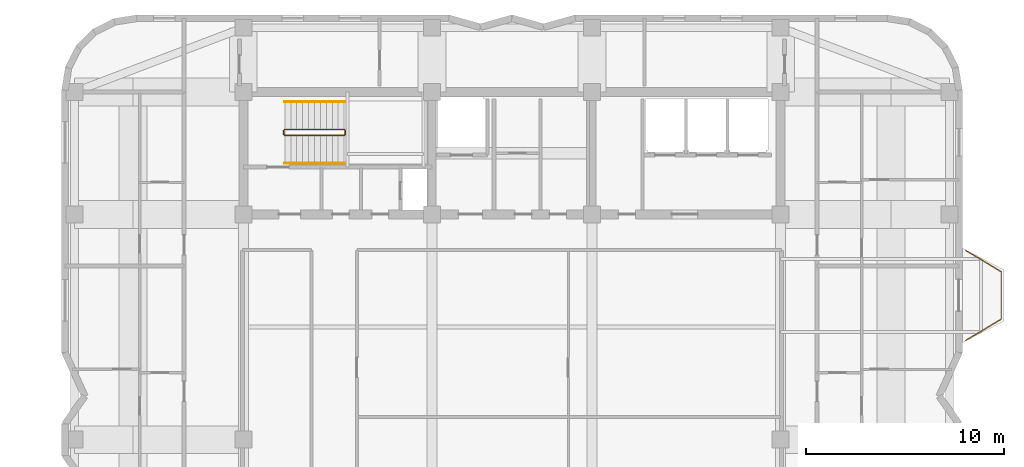
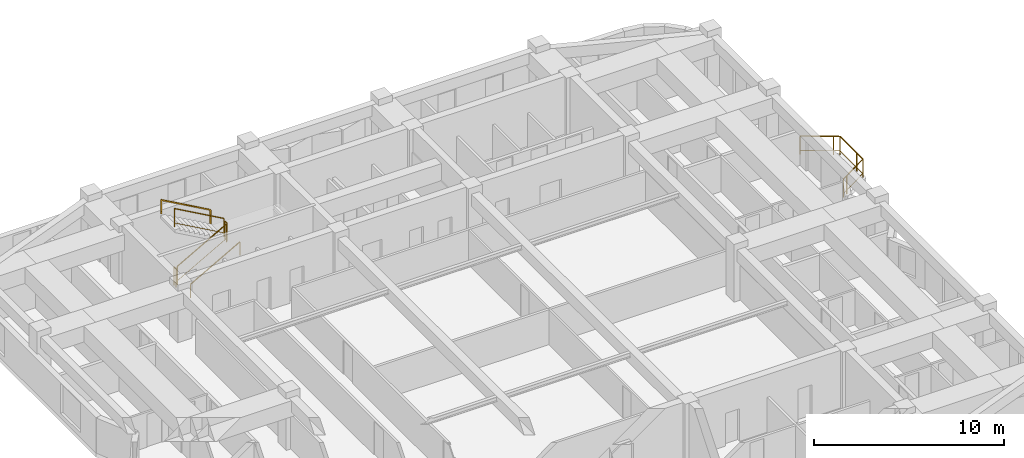
# One storey, part 9 of 9: 7 railings.
"""IFC4 building model written with IfcOpenShell, lengths in metres."""

import ifcopenshell
import ifcopenshell.guid

model = None  # the IFC model being written
_history = None  # IfcOwnerHistory: only IFC2X3 demands one
_inside = {}  # id of a spatial element -> (the spatial element, [elements in it])
_under = {}  # id of a project, library or spatial element -> (it, [spatial elements below it])
_declared = {}  # id of a project -> (the project, [libraries it declares])
_typed = {}  # id of a type object -> (the type object, [elements of that type])
_made_of = {}  # id of a material, layer set ... -> (it, [elements and type objects made of it])


def new_model(schema):
    """Start an empty IFC model of exactly this schema.

    Asked for "IFC4X3", IfcOpenShell would pick the latest addendum, in which some entities
    have other attributes; the version numbers below select the first issue.
    IFC2X3 requires an IfcOwnerHistory on every rooted entity: one is made here for all.
    """
    global model, _history
    if schema == "IFC4X3":
        model = ifcopenshell.file(schema_version=(4, 3, 0, 0))
    else:
        model = ifcopenshell.file(schema=schema)
    _inside.clear()
    _under.clear()
    _declared.clear()
    _typed.clear()
    _made_of.clear()
    _history = None
    if model.schema == "IFC2X3":
        org = make("IfcOrganization", Name="unknown")
        user = make(
            "IfcPersonAndOrganization",
            ThePerson=make("IfcPerson", FamilyName="unknown"),
            TheOrganization=org,
        )
        app = make(
            "IfcApplication",
            ApplicationDeveloper=org,
            Version="unknown",
            ApplicationFullName="unknown",
            ApplicationIdentifier="unknown",
        )
        _history = make(
            "IfcOwnerHistory",
            OwningUser=user,
            OwningApplication=app,
            ChangeAction="ADDED",
            CreationDate=0,
        )
    return model


def make(cls, **values):
    """One entity of the class cls with the attributes given. An attribute that is None is left unset."""
    return model.create_entity(
        cls, **{name: value for name, value in values.items() if value is not None}
    )


def rooted(cls, **values):
    """An entity with a GlobalId (a new one), such as an element, a storey or a relation."""
    return make(cls, GlobalId=ifcopenshell.guid.new(), OwnerHistory=_history, **values)


def si_unit(unit_type, name, prefix=None):
    """IfcSIUnit, for example si_unit("LENGTHUNIT", "METRE", prefix="MILLI")."""
    return make("IfcSIUnit", UnitType=unit_type, Prefix=prefix, Name=name)


def assignment(units):
    """IfcUnitAssignment: the units of a project."""
    return None if units is None else make("IfcUnitAssignment", Units=units)


def point(xyz):
    """IfcCartesianPoint."""
    return None if xyz is None else make("IfcCartesianPoint", Coordinates=xyz)


def direction(xyz):
    """IfcDirection."""
    return None if xyz is None else make("IfcDirection", DirectionRatios=xyz)


def frame(location, z_axis=None, x_axis=None):
    """IfcAxis2Placement3D, a coordinate frame: its origin and axes. An axis left out is left unset."""
    return make(
        "IfcAxis2Placement3D",
        Location=point(location),
        Axis=direction(z_axis),
        RefDirection=direction(x_axis),
    )


def frame_2d(location, x_axis=None):
    """IfcAxis2Placement2D, a coordinate frame in the plane: its origin and x axis."""
    return make(
        "IfcAxis2Placement2D", Location=point(location), RefDirection=direction(x_axis)
    )


def origin():
    """The frame at (0, 0, 0) with its axes left unset."""
    return frame((0.0, 0.0, 0.0))


def origin_2d():
    """The frame at (0, 0) in the plane with its x axis left unset."""
    return frame_2d((0.0, 0.0))


def place(relative_to, where):
    """IfcLocalPlacement: puts the frame where relative to a parent placement (None: the world)."""
    return make(
        "IfcLocalPlacement", PlacementRelTo=relative_to, RelativePlacement=where
    )


def context(
    kind, dimensions, precision=None, world=None, true_north=None, identifier=None
):
    """IfcGeometricRepresentationContext, for example the 3D "Model" context."""
    return make(
        "IfcGeometricRepresentationContext",
        ContextIdentifier=identifier,
        ContextType=kind,
        CoordinateSpaceDimension=dimensions,
        Precision=precision,
        WorldCoordinateSystem=world,
        TrueNorth=true_north,
    )


def subcontext(parent, identifier, kind, view, scale=None):
    """IfcGeometricRepresentationSubContext, for example "Body" below "Model"."""
    return make(
        "IfcGeometricRepresentationSubContext",
        ContextIdentifier=identifier,
        ContextType=kind,
        ParentContext=parent,
        TargetScale=scale,
        TargetView=view,
    )


def project(units=None, contexts=None):
    """IfcProject with its units and contexts."""
    return rooted(
        "IfcProject",
        Name="project",
        RepresentationContexts=contexts,
        UnitsInContext=assignment(units),
    )


def spatial(cls, under=None, at=None, **own):
    """A site, building, storey or space (cls), placed at a placement, below another one or the project."""
    s = rooted(cls, ObjectPlacement=at, **own)
    if under is not None:
        _under.setdefault(under.id(), (under, []))[1].append(s)
    return s


def profile(cls, at=None, kind="AREA", **sizes):
    """A parametric profile (cls). Its sizes go by their IFC names, for example OverallWidth=200.0."""
    return make(cls, ProfileType=kind, Position=at, **sizes)


def rectangle(**sizes):
    """IfcRectangleProfileDef."""
    return profile("IfcRectangleProfileDef", **sizes)


def extrude(swept, where, along, depth):
    """IfcExtrudedAreaSolid: the profile swept, set in the frame where, extruded along a direction by depth."""
    return make(
        "IfcExtrudedAreaSolid",
        SweptArea=swept,
        Position=where,
        ExtrudedDirection=direction(along),
        Depth=depth,
    )


def shape(context_of_items, identifier, shape_type, items):
    """IfcShapeRepresentation: the items that make up one representation, for example the "Body"."""
    return make(
        "IfcShapeRepresentation",
        ContextOfItems=context_of_items,
        RepresentationIdentifier=identifier,
        RepresentationType=shape_type,
        Items=items,
    )


def material(Name=None, Category=None):
    """IfcMaterial."""
    return make("IfcMaterial", Name=Name, Category=Category)


def made_of(thing, what):
    """Note that an element or type object is made of a material, layer set ...; save() writes the relation."""
    if what is not None:
        _made_of.setdefault(what.id(), (what, []))[1].append(thing)
    return thing


def type_object(cls, material=None, **own):
    """A type object (cls), such as IfcWallType, which elements share."""
    return made_of(rooted(cls, **own), material)


def element(
    cls,
    number,
    at=None,
    inside=None,
    cuts=None,
    type_object=None,
    material=None,
    context=None,
    identifier="Body",
    shape_type=None,
    held_by="IfcProductDefinitionShape",
    body=None,
    shapes=None,
    **own,
):
    """One element of the class cls, such as IfcWall. Its Tag is "e" and its number.

    at: its placement. inside: the storey or other place that contains it. cuts: it is an
    opening in that element (IfcRelVoidsElement). A single representation is given by context,
    identifier, shape_type and body (its items); several are given by shapes. held_by: the class
    of the entity that holds the representations. save() writes the other relations.
    """
    e = rooted(cls, Tag="e%d" % number, ObjectPlacement=at, **own)
    if body is not None:
        shapes = [shape(context, identifier, shape_type, body)]
    if shapes is not None:
        e.Representation = make(held_by, Representations=shapes)
    if inside is not None:
        _inside.setdefault(inside.id(), (inside, []))[1].append(e)
    if cuts is not None:
        rooted(
            "IfcRelVoidsElement", RelatingBuildingElement=cuts, RelatedOpeningElement=e
        )
    if type_object is not None:
        _typed.setdefault(type_object.id(), (type_object, []))[1].append(e)
    return made_of(e, material)


def aggregate(whole, parts):
    """IfcRelAggregates: a whole, such as a stair, and the parts it consists of."""
    return rooted("IfcRelAggregates", RelatingObject=whole, RelatedObjects=parts)


def save(model, path):
    """Write the relations noted so far, then the file.

    IfcRelAggregates (storeys below a building ...), IfcRelContainedInSpatialStructure (elements
    in a storey), IfcRelDefinesByType, IfcRelAssociatesMaterial and IfcRelDeclares: one each for
    every whole, place, type object, material and project.
    """
    for whole, parts in _under.values():
        aggregate(whole, parts)
    for where, things in _inside.values():
        rooted(
            "IfcRelContainedInSpatialStructure",
            RelatedElements=things,
            RelatingStructure=where,
        )
    for kind, things in _typed.values():
        rooted("IfcRelDefinesByType", RelatedObjects=things, RelatingType=kind)
    for what, things in _made_of.values():
        rooted("IfcRelAssociatesMaterial", RelatedObjects=things, RelatingMaterial=what)
    for by, libraries in _declared.values():
        rooted("IfcRelDeclares", RelatingContext=by, RelatedDefinitions=libraries)
    model.write(path)


model = new_model("IFC4")

# Units and contexts
model_context = context("Model", 3, precision=1e-05, world=origin(), true_north=direction((0.0, 1.0)))
body_context = subcontext(model_context, "Body", "Model", "MODEL_VIEW")
ifc_project = project(units=[si_unit("LENGTHUNIT", "METRE"), si_unit("AREAUNIT", "SQUARE_METRE"), si_unit("VOLUMEUNIT", "CUBIC_METRE"), si_unit("PLANEANGLEUNIT", "RADIAN"), si_unit("MASSUNIT", "GRAM", prefix="KILO")], contexts=[model_context])

# Site, building, storey
site_placement = place(None, origin())
site = spatial("IfcSite", under=ifc_project, at=site_placement, CompositionType="ELEMENT")
building_placement = place(site_placement, origin())
building = spatial("IfcBuilding", under=site, at=building_placement, Name="Svetorya Sky Lyceum", CompositionType="ELEMENT")
storey_placement = place(building_placement, frame((0.0, 0.0, 222.10009765625)))
storey = spatial("IfcBuildingStorey", under=building, at=storey_placement, Name="L55", CompositionType="ELEMENT", Elevation=222.10009765625)

# Railings
ifc_material_1 = material(Name="Laminated safety glass and stainless AISI 316", Category="glass")
railing_type_1 = type_object("IfcRailingType", Name="RL-BAL-1200", PredefinedType="BALUSTRADE", material=ifc_material_1)
railing_1_placement = place(storey_placement, frame((62.169921875, 37.780029296875, 0.0)))
element("IfcRailing", 1, at=railing_1_placement, inside=storey, type_object=railing_type_1, Name="L55 Balcony Balustrade BAL-E1", PredefinedType="BALUSTRADE", context=body_context, shape_type="SweptSolid", body=[
    extrude(rectangle(XDim=0.048095703125, YDim=0.048095703125, at=origin_2d()), frame((0.0, 0.0, 1.17578125), z_axis=(0.857482663744, -0.514512858321, 0.0), x_axis=(0.514512858321, 0.857482663744, 0.0)), (0.0, 0.0, 1.0), 2.09912109375),
    extrude(rectangle(XDim=0.02392578125, YDim=0.02392578125, at=origin_2d()), frame((0.0, 0.0, 0.25), z_axis=(0.857482663744, -0.514512858321, 0.0), x_axis=(0.514512858321, 0.857482663744, 0.0)), (0.0, 0.0, 1.0), 2.09912109375),
    extrude(rectangle(XDim=0.048095703125, YDim=0.048095703125, at=origin_2d()), frame((1.800048828125, -1.080078125, 1.17578125), z_axis=(0.0, -1.0, 0.0), x_axis=(1.0, 0.0, 0.0)), (0.0, 0.0, 1.0), 2.39990234375),
    extrude(rectangle(XDim=0.02392578125, YDim=0.02392578125, at=origin_2d()), frame((1.800048828125, -1.080078125, 0.25), z_axis=(0.0, -1.0, 0.0), x_axis=(1.0, 0.0, 0.0)), (0.0, 0.0, 1.0), 2.39990234375),
    extrude(rectangle(XDim=0.048095703125, YDim=0.048095703125, at=origin_2d()), frame((1.800048828125, -3.47998046875, 1.17578125), z_axis=(-0.857482663744, -0.514512858321, 0.0), x_axis=(0.514512858321, -0.857482663744, 0.0)), (0.0, 0.0, 1.0), 2.09912109375),
    extrude(rectangle(XDim=0.02392578125, YDim=0.02392578125, at=origin_2d()), frame((1.800048828125, -3.47998046875, 0.25), z_axis=(-0.857482663744, -0.514512858321, 0.0), x_axis=(0.514512858321, -0.857482663744, 0.0)), (0.0, 0.0, 1.0), 2.09912109375),
    extrude(rectangle(XDim=0.0419921875, YDim=0.0419921875, at=origin_2d()), origin(), (0.0, 0.0, 1.0), 1.15185546875),
    extrude(rectangle(XDim=0.0419921875, YDim=0.0419921875, at=origin_2d()), frame((1.50048828125, -0.900390625, 0.0)), (0.0, 0.0, 1.0), 1.15185546875),
    extrude(rectangle(XDim=0.0419921875, YDim=0.0419921875, at=origin_2d()), frame((1.800048828125, -1.080078125, 0.0)), (0.0, 0.0, 1.0), 1.15185546875),
    extrude(rectangle(XDim=0.0419921875, YDim=0.0419921875, at=origin_2d()), frame((1.800048828125, -2.830078125, 0.0)), (0.0, 0.0, 1.0), 1.15185546875),
    extrude(rectangle(XDim=0.0419921875, YDim=0.0419921875, at=origin_2d()), frame((1.800048828125, -3.47998046875, 0.0)), (0.0, 0.0, 1.0), 1.15185546875),
    extrude(rectangle(XDim=0.0419921875, YDim=0.0419921875, at=origin_2d()), frame((0.299560546875, -4.38037109375, 0.0)), (0.0, 0.0, 1.0), 1.15185546875),
    extrude(rectangle(XDim=0.0419921875, YDim=0.0419921875, at=origin_2d()), frame((0.0, -4.56005859375, 0.0)), (0.0, 0.0, 1.0), 1.15185546875),
])
ifc_material_2 = material(Name="Painted galvanized stair well guard")
railing_type_2 = type_object("IfcRailingType", Name="RL-STR-GUARD-1200", PredefinedType="GUARDRAIL", material=ifc_material_2)
railing_2_placement = place(storey_placement, frame((27.699951171875, 43.60009765625, 0.16796875)))
element("IfcRailing", 2, at=railing_2_placement, inside=storey, type_object=railing_type_2, Name="L55 ST-N stair guard 1", PredefinedType="GUARDRAIL", context=body_context, shape_type="SweptSolid", body=[
    extrude(rectangle(XDim=0.048095703125, YDim=0.048095703125, at=origin_2d()), frame((0.0, 0.0, 1.17578125), z_axis=(0.872272294576, 0.0, 0.489020494575), x_axis=(0.0, 1.0, 0.0)), (0.0, 0.0, 1.0), 3.439208984375),
    extrude(rectangle(XDim=0.02392578125, YDim=0.02392578125, at=origin_2d()), frame((0.0, 0.0, 0.25), z_axis=(0.872272294576, 0.0, 0.489020494575), x_axis=(0.0, 1.0, 0.0)), (0.0, 0.0, 1.0), 3.439208984375),
    extrude(rectangle(XDim=0.0419921875, YDim=0.0419921875, at=origin_2d()), origin(), (0.0, 0.0, 1.0), 1.15185546875),
    extrude(rectangle(XDim=0.0419921875, YDim=0.0419921875, at=origin_2d()), frame((3.0, 0.0, 1.681884765625)), (0.0, 0.0, 1.0), 1.15185546875),
])
railing_3_placement = place(storey_placement, frame((30.75, 43.64990234375, 1.849853515625)))
element("IfcRailing", 3, at=railing_3_placement, inside=storey, type_object=railing_type_2, Name="L55 ST-N stair guard 2", PredefinedType="GUARDRAIL", context=body_context, shape_type="SweptSolid", body=[
    extrude(rectangle(XDim=0.048095703125, YDim=0.048095703125, at=origin_2d()), frame((0.0, 0.0, 1.17578125), z_axis=(0.0, 1.0, 0.0), x_axis=(-1.0, 0.0, 0.0)), (0.0, 0.0, 1.0), 0.2001953125),
    extrude(rectangle(XDim=0.02392578125, YDim=0.02392578125, at=origin_2d()), frame((0.0, 0.0, 0.25), z_axis=(0.0, 1.0, 0.0), x_axis=(-1.0, 0.0, 0.0)), (0.0, 0.0, 1.0), 0.2001953125),
    extrude(rectangle(XDim=0.0419921875, YDim=0.0419921875, at=origin_2d()), origin(), (0.0, 0.0, 1.0), 1.15185546875),
    extrude(rectangle(XDim=0.0419921875, YDim=0.0419921875, at=origin_2d()), frame((0.0, 0.2001953125, 0.0)), (0.0, 0.0, 1.0), 1.15185546875),
])
railing_4_placement = place(storey_placement, frame((30.699951171875, 43.89990234375, 2.01806640625)))
element("IfcRailing", 4, at=railing_4_placement, inside=storey, type_object=railing_type_2, Name="L55 ST-N stair guard 3", PredefinedType="GUARDRAIL", context=body_context, shape_type="SweptSolid", body=[
    extrude(rectangle(XDim=0.048095703125, YDim=0.048095703125, at=origin_2d()), frame((0.0, 0.0, 1.17578125), z_axis=(-0.872272294576, 0.0, 0.489020494575), x_axis=(0.0, -1.0, 0.0)), (0.0, 0.0, 1.0), 3.439208984375),
    extrude(rectangle(XDim=0.02392578125, YDim=0.02392578125, at=origin_2d()), frame((0.0, 0.0, 0.25), z_axis=(-0.872272294576, 0.0, 0.489020494575), x_axis=(0.0, -1.0, 0.0)), (0.0, 0.0, 1.0), 3.439208984375),
    extrude(rectangle(XDim=0.0419921875, YDim=0.0419921875, at=origin_2d()), origin(), (0.0, 0.0, 1.0), 1.15185546875),
    extrude(rectangle(XDim=0.0419921875, YDim=0.0419921875, at=origin_2d()), frame((-3.0, 0.0, 1.681884765625)), (0.0, 0.0, 1.0), 1.15185546875),
])
railing_5_placement = place(storey_placement, frame((27.64990234375, 43.64990234375, 0.0)))
element("IfcRailing", 5, at=railing_5_placement, inside=storey, type_object=railing_type_2, Name="L55 ST-N stair guard 4", PredefinedType="GUARDRAIL", context=body_context, shape_type="SweptSolid", body=[
    extrude(rectangle(XDim=0.048095703125, YDim=0.048095703125, at=origin_2d()), frame((0.0, 0.0, 1.17578125), z_axis=(0.0, 1.0, 0.0), x_axis=(-1.0, 0.0, 0.0)), (0.0, 0.0, 1.0), 0.2001953125),
    extrude(rectangle(XDim=0.02392578125, YDim=0.02392578125, at=origin_2d()), frame((0.0, 0.0, 0.25), z_axis=(0.0, 1.0, 0.0), x_axis=(-1.0, 0.0, 0.0)), (0.0, 0.0, 1.0), 0.2001953125),
    extrude(rectangle(XDim=0.0419921875, YDim=0.0419921875, at=origin_2d()), origin(), (0.0, 0.0, 1.0), 1.15185546875),
    extrude(rectangle(XDim=0.0419921875, YDim=0.0419921875, at=origin_2d()), frame((0.0, 0.2001953125, 0.0)), (0.0, 0.0, 1.0), 1.15185546875),
])
ifc_material_3 = material(Name="Brushed stainless AISI 304 stair handrail")
railing_type_3 = type_object("IfcRailingType", Name="RL-STR-HAND-920", PredefinedType="HANDRAIL", material=ifc_material_3)
railing_6_placement = place(storey_placement, frame((27.699951171875, 42.199951171875, 0.16796875)))
element("IfcRailing", 6, at=railing_6_placement, inside=storey, type_object=railing_type_3, Name="L55 ST-N stair handrail 1", PredefinedType="HANDRAIL", context=body_context, shape_type="SweptSolid", body=[
    extrude(rectangle(XDim=0.048095703125, YDim=0.048095703125, at=origin_2d()), frame((0.0, 0.0, 0.8759765625), z_axis=(0.872272294576, 0.0, 0.489020494575), x_axis=(0.0, 1.0, 0.0)), (0.0, 0.0, 1.0), 3.439208984375),
    extrude(rectangle(XDim=0.0419921875, YDim=0.0419921875, at=origin_2d()), origin(), (0.0, 0.0, 1.0), 0.851806640625),
    extrude(rectangle(XDim=0.0419921875, YDim=0.0419921875, at=origin_2d()), frame((3.0, 0.0, 1.681884765625)), (0.0, 0.0, 1.0), 0.851806640625),
])
railing_7_placement = place(storey_placement, frame((30.699951171875, 45.300048828125, 2.01806640625)))
element("IfcRailing", 7, at=railing_7_placement, inside=storey, type_object=railing_type_3, Name="L55 ST-N stair handrail 2", PredefinedType="HANDRAIL", context=body_context, shape_type="SweptSolid", body=[
    extrude(rectangle(XDim=0.048095703125, YDim=0.048095703125, at=origin_2d()), frame((0.0, 0.0, 0.8759765625), z_axis=(-0.872272294576, 0.0, 0.489020494575), x_axis=(0.0, -1.0, 0.0)), (0.0, 0.0, 1.0), 3.439208984375),
    extrude(rectangle(XDim=0.0419921875, YDim=0.0419921875, at=origin_2d()), origin(), (0.0, 0.0, 1.0), 0.851806640625),
    extrude(rectangle(XDim=0.0419921875, YDim=0.0419921875, at=origin_2d()), frame((-3.0, 0.0, 1.681884765625)), (0.0, 0.0, 1.0), 0.851806640625),
])

save(model, "model.ifc")
